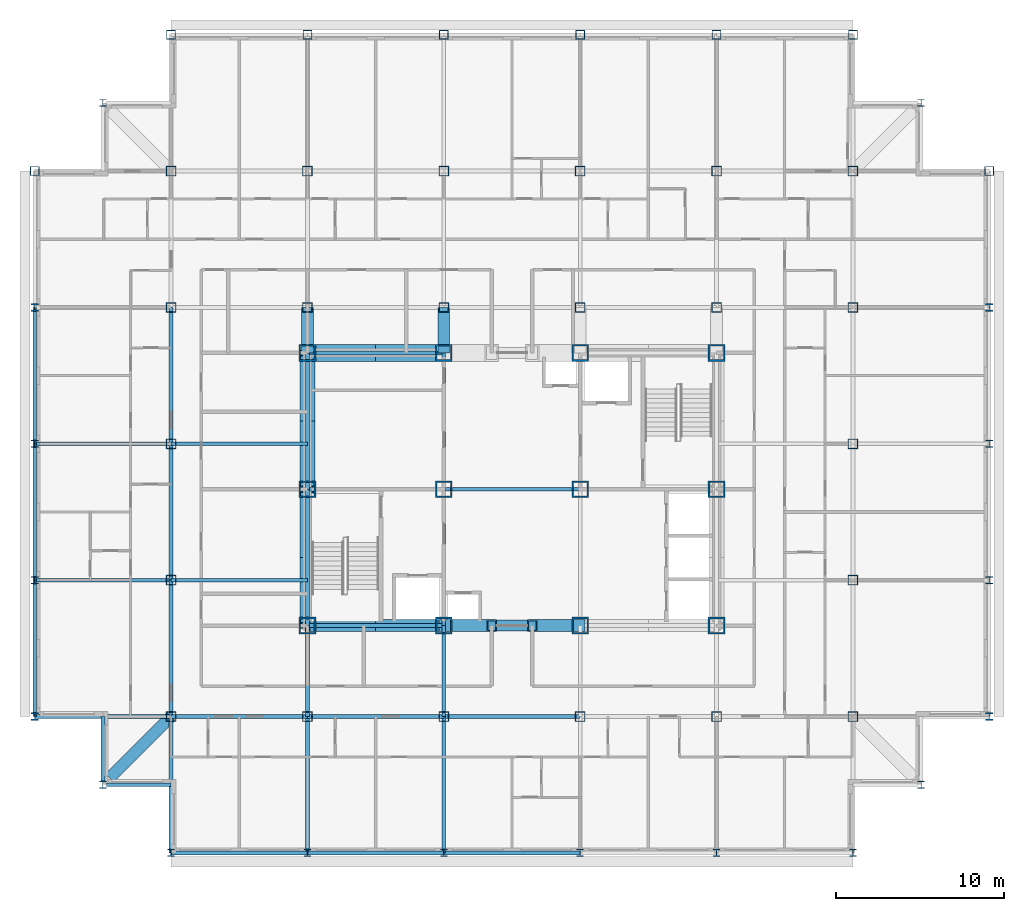
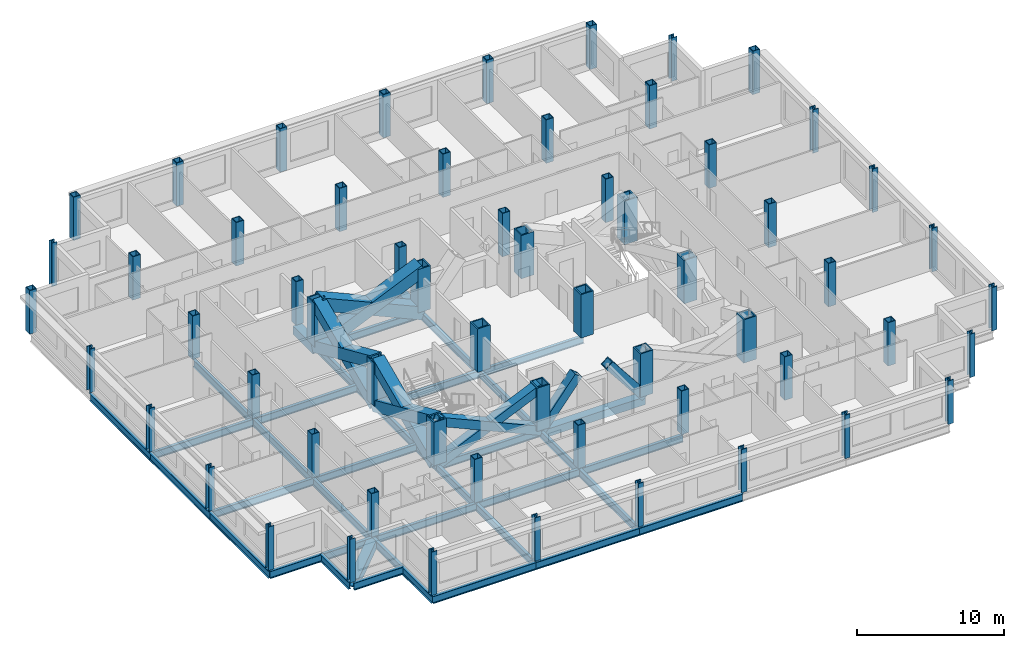
# One storey, part 1 of 12: 60 columns, 36 beams, 10 members.
"""IFC4 building model written with IfcOpenShell, lengths in metres."""

from ifc_helpers import new_model, si_unit, direction, frame, origin, origin_2d, place, context, subcontext, project, spatial, hollow_rectangle, i_section, extrude, material, material_profile, profile_set, type_object, element, save


model = new_model("IFC4")

# Units and contexts
model_context = context("Model", 3, precision=1e-05, world=origin(), true_north=direction((0.0, 1.0)))
body_context = subcontext(model_context, "Body", "Model", "MODEL_VIEW")
ifc_project = project(units=[si_unit("LENGTHUNIT", "METRE"), si_unit("AREAUNIT", "SQUARE_METRE"), si_unit("VOLUMEUNIT", "CUBIC_METRE"), si_unit("PLANEANGLEUNIT", "RADIAN"), si_unit("MASSUNIT", "GRAM", prefix="KILO")], contexts=[model_context])

# Site, building, storey
site_placement = place(None, origin())
site = spatial("IfcSite", under=ifc_project, at=site_placement, CompositionType="ELEMENT")
building_placement = place(site_placement, origin())
building = spatial("IfcBuilding", under=site, at=building_placement, Name="Kopane Lantern Tower", CompositionType="ELEMENT")
storey_placement = place(building_placement, frame((0.0, 0.0, 210.0)))
storey = spatial("IfcBuildingStorey", under=building, at=storey_placement, Name="L54", CompositionType="ELEMENT", Elevation=210.0)

# Columns
ifc_material_1 = material(Name="Steel S355JR", Category="steel")
ifc_material_profile_1 = material_profile(ifc_material_1, hollow_rectangle(XDim=1.0, YDim=1.0, WallThickness=0.10009765625, at=origin_2d()), Name="BOX 1000x1000x100")
ifc_profile_set_1 = profile_set([ifc_material_profile_1], Name="Steel S355JR")
column_type_1 = type_object("IfcColumnType", Name="COLUMN BOX 1000x1000x100", PredefinedType="COLUMN", material=ifc_profile_set_1)
for number, where, z_axis, x_axis, name in (
    (1, (16.199951171875, 24.300048828125, 0.0), (0.0, 0.0, 1.0), (1.0, 0.0, 0.0), "Column 4/E L54"),
    (2, (16.199951171875, 32.39990234375, 0.0), (0.0, 0.0, 1.0), (1.0, 0.0, 0.0), "Column 4/F L54"),
    (3, (16.199951171875, 40.5, 0.0), (0.0, 0.0, 1.0), (1.0, 0.0, 0.0), "Column 4/G L54"),
    (4, (24.300048828125, 24.300048828125, 0.0), (0.0, 0.0, 1.0), (1.0, 0.0, 0.0), "Column 5/E L54"),
    (5, (24.300048828125, 32.39990234375, 0.0), (0.0, 0.0, 1.0), (1.0, 0.0, 0.0), "Column 5/F L54"),
    (6, (24.300048828125, 40.5, 0.0), (0.0, 0.0, 1.0), (1.0, 0.0, 0.0), "Column 5/G L54"),
    (7, (32.39990234375, 24.300048828125, 0.0), (0.0, 0.0, 1.0), (1.0, 0.0, 0.0), "Column 6/E L54"),
    (8, (32.39990234375, 32.39990234375, 0.0), (0.0, 0.0, 1.0), (1.0, 0.0, 0.0), "Column 6/F L54"),
    (9, (32.39990234375, 40.5, 0.0), (0.0, 0.0, 1.0), (1.0, 0.0, 0.0), "Column 6/G L54"),
    (10, (40.5, 24.300048828125, 0.0), (0.0, 0.0, 1.0), (1.0, 0.0, 0.0), "Column 7/E L54"),
    (11, (40.5, 32.39990234375, 0.0), (0.0, 0.0, 1.0), (1.0, 0.0, 0.0), "Column 7/F L54"),
    (12, (40.5, 40.5, 0.0), (0.0, 0.0, 1.0), (1.0, 0.0, 0.0), "Column 7/G L54"),
):
    element("IfcColumn", number, at=place(storey_placement, frame(where, z_axis=z_axis, x_axis=x_axis)), inside=storey, type_object=column_type_1, Name=name, PredefinedType="COLUMN", context=body_context, shape_type="SweptSolid", body=[
        extrude(hollow_rectangle(XDim=1.0, YDim=1.0, WallThickness=0.10009765625, at=origin_2d()), origin(), (0.0, 0.0, 1.0), 3.60009765625),
    ])
ifc_material_2 = material(Name="Steel S355JR", Category="steel")
ifc_material_profile_2 = material_profile(ifc_material_2, hollow_rectangle(XDim=0.550048828125, YDim=0.550048828125, WallThickness=0.044921875, at=origin_2d()), Name="BOX 550x550x45")
ifc_profile_set_2 = profile_set([ifc_material_profile_2], Name="Steel S355JR")
column_type_2 = type_object("IfcColumnType", Name="COLUMN BOX 550x550x45", PredefinedType="COLUMN", material=ifc_profile_set_2)
for number, where, z_axis, x_axis, name in (
    (13, (0.0, 51.300048828125, 0.0), (0.0, 0.0, 1.0), (1.0, 0.0, 0.0), "Column 2/Q6 L54"),
    (14, (8.10009765625, 59.39990234375, 0.0), (0.0, 0.0, 1.0), (1.0, 0.0, 0.0), "Column 3/Q7 L54"),
    (15, (16.199951171875, 59.39990234375, 0.0), (0.0, 0.0, 1.0), (1.0, 0.0, 0.0), "Column 4/Q7 L54"),
    (16, (24.300048828125, 59.39990234375, 0.0), (0.0, 0.0, 1.0), (1.0, 0.0, 0.0), "Column 5/Q7 L54"),
    (17, (32.39990234375, 59.39990234375, 0.0), (0.0, 0.0, 1.0), (1.0, 0.0, 0.0), "Column 6/Q7 L54"),
    (18, (40.5, 59.39990234375, 0.0), (0.0, 0.0, 1.0), (1.0, 0.0, 0.0), "Column 7/Q7 L54"),
    (19, (48.60009765625, 59.39990234375, 0.0), (0.0, 0.0, 1.0), (1.0, 0.0, 0.0), "Column 8/Q7 L54"),
    (20, (56.699951171875, 51.300048828125, 0.0), (0.0, 0.0, 1.0), (1.0, 0.0, 0.0), "Column 9/Q6 L54"),
):
    element("IfcColumn", number, at=place(storey_placement, frame(where, z_axis=z_axis, x_axis=x_axis)), inside=storey, type_object=column_type_2, Name=name, PredefinedType="COLUMN", context=body_context, shape_type="SweptSolid", body=[
        extrude(hollow_rectangle(XDim=0.550048828125, YDim=0.550048828125, WallThickness=0.044921875, at=origin_2d()), origin(), (0.0, 0.0, 1.0), 3.60009765625),
    ])
ifc_material_3 = material(Name="Steel S355JR", Category="steel")
ifc_material_profile_3 = material_profile(ifc_material_3, hollow_rectangle(XDim=0.60009765625, YDim=0.60009765625, WallThickness=0.050048828125, at=origin_2d()), Name="BOX 600x600x50")
ifc_profile_set_3 = profile_set([ifc_material_profile_3], Name="Steel S355JR")
column_type_3 = type_object("IfcColumnType", Name="COLUMN BOX 600x600x50", PredefinedType="COLUMN", material=ifc_profile_set_3)
for number, where, z_axis, x_axis, name in (
    (21, (8.10009765625, 18.89990234375, 0.0), (0.0, 0.0, 1.0), (1.0, 0.0, 0.0), "Column 3/Q2 L54"),
    (22, (8.10009765625, 27.0, 0.0), (0.0, 0.0, 1.0), (1.0, 0.0, 0.0), "Column 3/Q3 L54"),
    (23, (8.10009765625, 35.10009765625, 0.0), (0.0, 0.0, 1.0), (1.0, 0.0, 0.0), "Column 3/Q4 L54"),
    (24, (8.10009765625, 43.199951171875, 0.0), (0.0, 0.0, 1.0), (1.0, 0.0, 0.0), "Column 3/Q5 L54"),
    (25, (8.10009765625, 51.300048828125, 0.0), (0.0, 0.0, 1.0), (1.0, 0.0, 0.0), "Column 3/Q6 L54"),
    (26, (16.199951171875, 18.89990234375, 0.0), (0.0, 0.0, 1.0), (1.0, 0.0, 0.0), "Column 4/Q2 L54"),
    (27, (16.199951171875, 43.199951171875, 0.0), (0.0, 0.0, 1.0), (1.0, 0.0, 0.0), "Column 4/Q5 L54"),
    (28, (16.199951171875, 51.300048828125, 0.0), (0.0, 0.0, 1.0), (1.0, 0.0, 0.0), "Column 4/Q6 L54"),
    (29, (24.300048828125, 18.89990234375, 0.0), (0.0, 0.0, 1.0), (1.0, 0.0, 0.0), "Column 5/Q2 L54"),
    (30, (24.300048828125, 43.199951171875, 0.0), (0.0, 0.0, 1.0), (1.0, 0.0, 0.0), "Column 5/Q5 L54"),
    (31, (24.300048828125, 51.300048828125, 0.0), (0.0, 0.0, 1.0), (1.0, 0.0, 0.0), "Column 5/Q6 L54"),
    (32, (32.39990234375, 18.89990234375, 0.0), (0.0, 0.0, 1.0), (1.0, 0.0, 0.0), "Column 6/Q2 L54"),
    (33, (32.39990234375, 43.199951171875, 0.0), (0.0, 0.0, 1.0), (1.0, 0.0, 0.0), "Column 6/Q5 L54"),
    (34, (32.39990234375, 51.300048828125, 0.0), (0.0, 0.0, 1.0), (1.0, 0.0, 0.0), "Column 6/Q6 L54"),
    (35, (40.5, 18.89990234375, 0.0), (0.0, 0.0, 1.0), (1.0, 0.0, 0.0), "Column 7/Q2 L54"),
    (36, (40.5, 43.199951171875, 0.0), (0.0, 0.0, 1.0), (1.0, 0.0, 0.0), "Column 7/Q5 L54"),
    (37, (40.5, 51.300048828125, 0.0), (0.0, 0.0, 1.0), (1.0, 0.0, 0.0), "Column 7/Q6 L54"),
    (38, (48.60009765625, 18.89990234375, 0.0), (0.0, 0.0, 1.0), (1.0, 0.0, 0.0), "Column 8/Q2 L54"),
    (39, (48.60009765625, 27.0, 0.0), (0.0, 0.0, 1.0), (1.0, 0.0, 0.0), "Column 8/Q3 L54"),
    (40, (48.60009765625, 35.10009765625, 0.0), (0.0, 0.0, 1.0), (1.0, 0.0, 0.0), "Column 8/Q4 L54"),
    (41, (48.60009765625, 43.199951171875, 0.0), (0.0, 0.0, 1.0), (1.0, 0.0, 0.0), "Column 8/Q5 L54"),
    (42, (48.60009765625, 51.300048828125, 0.0), (0.0, 0.0, 1.0), (1.0, 0.0, 0.0), "Column 8/Q6 L54"),
):
    element("IfcColumn", number, at=place(storey_placement, frame(where, z_axis=z_axis, x_axis=x_axis)), inside=storey, type_object=column_type_3, Name=name, PredefinedType="COLUMN", context=body_context, shape_type="SweptSolid", body=[
        extrude(hollow_rectangle(XDim=0.60009765625, YDim=0.60009765625, WallThickness=0.050048828125, at=origin_2d()), origin(), (0.0, 0.0, 1.0), 3.60009765625),
    ])
ifc_material_4 = material(Name="Steel S355JR", Category="steel")
ifc_material_profile_4 = material_profile(ifc_material_4, i_section(OverallWidth=0.406982421875, OverallDepth=0.4189453125, WebThickness=0.030517578125, FlangeThickness=0.04931640625, FilletRadius=0.01513671875, at=origin_2d()), Name="UC 356x406x393")
ifc_profile_set_4 = profile_set([ifc_material_profile_4], Name="Steel S355JR")
column_type_4 = type_object("IfcColumnType", Name="COLUMN UC 356x406x393", PredefinedType="COLUMN", material=ifc_profile_set_4)
for number, where, z_axis, x_axis, name in (
    (43, (4.050048828125, 14.85009765625, 0.0), (0.0, 0.0, 1.0), (1.0, 0.0, 0.0), "Column 4.05/14.85 L54"),
    (44, (4.050048828125, 55.35009765625, 0.0), (0.0, 0.0, 1.0), (1.0, 0.0, 0.0), "Column 4.05/55.35 L54"),
    (45, (52.64990234375, 14.85009765625, 0.0), (0.0, 0.0, 1.0), (1.0, 0.0, 0.0), "Column 52.65/14.85 L54"),
    (46, (52.64990234375, 55.35009765625, 0.0), (0.0, 0.0, 1.0), (1.0, 0.0, 0.0), "Column 52.65/55.35 L54"),
):
    element("IfcColumn", number, at=place(storey_placement, frame(where, z_axis=z_axis, x_axis=x_axis)), inside=storey, type_object=column_type_4, Name=name, PredefinedType="COLUMN", context=body_context, shape_type="SweptSolid", body=[
        extrude(i_section(OverallWidth=0.406982421875, OverallDepth=0.4189453125, WebThickness=0.030517578125, FlangeThickness=0.04931640625, FilletRadius=0.01513671875, at=origin_2d()), origin(), (0.0, 0.0, 1.0), 3.60009765625),
    ])
ifc_material_5 = material(Name="Steel S355JR", Category="steel")
ifc_material_profile_5 = material_profile(ifc_material_5, i_section(OverallWidth=0.41845703125, OverallDepth=0.45556640625, WebThickness=0.0419921875, FlangeThickness=0.0673828125, FilletRadius=0.01513671875, at=origin_2d()), Name="UC 356x406x551")
ifc_profile_set_5 = profile_set([ifc_material_profile_5], Name="Steel S355JR")
column_type_5 = type_object("IfcColumnType", Name="COLUMN UC 356x406x551", PredefinedType="COLUMN", material=ifc_profile_set_5)
for number, where, z_axis, x_axis, name in (
    (47, (0.0, 18.89990234375, 0.0), (0.0, 0.0, 1.0), (1.0, 0.0, 0.0), "Column 2/Q2 L54"),
    (48, (0.0, 27.0, 0.0), (0.0, 0.0, 1.0), (1.0, 0.0, 0.0), "Column 2/Q3 L54"),
    (49, (0.0, 35.10009765625, 0.0), (0.0, 0.0, 1.0), (1.0, 0.0, 0.0), "Column 2/Q4 L54"),
    (50, (0.0, 43.199951171875, 0.0), (0.0, 0.0, 1.0), (1.0, 0.0, 0.0), "Column 2/Q5 L54"),
    (51, (8.10009765625, 10.800048828125, 0.0), (0.0, 0.0, 1.0), (1.0, 0.0, 0.0), "Column 3/Q1 L54"),
    (52, (16.199951171875, 10.800048828125, 0.0), (0.0, 0.0, 1.0), (1.0, 0.0, 0.0), "Column 4/Q1 L54"),
    (53, (24.300048828125, 10.800048828125, 0.0), (0.0, 0.0, 1.0), (1.0, 0.0, 0.0), "Column 5/Q1 L54"),
    (54, (32.39990234375, 10.800048828125, 0.0), (0.0, 0.0, 1.0), (1.0, 0.0, 0.0), "Column 6/Q1 L54"),
    (55, (40.5, 10.800048828125, 0.0), (0.0, 0.0, 1.0), (1.0, 0.0, 0.0), "Column 7/Q1 L54"),
    (56, (48.60009765625, 10.800048828125, 0.0), (0.0, 0.0, 1.0), (1.0, 0.0, 0.0), "Column 8/Q1 L54"),
    (57, (56.699951171875, 18.89990234375, 0.0), (0.0, 0.0, 1.0), (1.0, 0.0, 0.0), "Column 9/Q2 L54"),
    (58, (56.699951171875, 27.0, 0.0), (0.0, 0.0, 1.0), (1.0, 0.0, 0.0), "Column 9/Q3 L54"),
    (59, (56.699951171875, 35.10009765625, 0.0), (0.0, 0.0, 1.0), (1.0, 0.0, 0.0), "Column 9/Q4 L54"),
    (60, (56.699951171875, 43.199951171875, 0.0), (0.0, 0.0, 1.0), (1.0, 0.0, 0.0), "Column 9/Q5 L54"),
):
    element("IfcColumn", number, at=place(storey_placement, frame(where, z_axis=z_axis, x_axis=x_axis)), inside=storey, type_object=column_type_5, Name=name, PredefinedType="COLUMN", context=body_context, shape_type="SweptSolid", body=[
        extrude(i_section(OverallWidth=0.41845703125, OverallDepth=0.45556640625, WebThickness=0.0419921875, FlangeThickness=0.0673828125, FilletRadius=0.01513671875, at=origin_2d()), origin(), (0.0, 0.0, 1.0), 3.60009765625),
    ])

# Members
ifc_material_6 = material(Name="Steel S355JR", Category="steel")
ifc_material_profile_6 = material_profile(ifc_material_6, hollow_rectangle(XDim=1.0, YDim=1.0, WallThickness=0.10009765625, at=origin_2d()), Name="BOX 1000x1000x100")
ifc_profile_set_6 = profile_set([ifc_material_profile_6], Name="Steel S355JR")
member_type_1 = type_object("IfcMemberType", Name="BRACE BOX 1000x1000x100", PredefinedType="BRACE", material=ifc_profile_set_6)
for number, where, z_axis, x_axis, name in (
    (61, (16.199951171875, 40.5, -0.2099609375), (0.913819498983, 0.0, 0.406120577265), (0.0, 1.0, 0.0), "Core brace L54"),
    (62, (24.300048828125, 40.5, -0.2099609375), (-0.913819498983, 0.0, 0.406120577265), (0.0, -1.0, 0.0), "Core brace L54"),
):
    element("IfcMember", number, at=place(storey_placement, frame(where, z_axis=z_axis, x_axis=x_axis)), inside=storey, type_object=member_type_1, Name=name, PredefinedType="BRACE", context=body_context, shape_type="SweptSolid", body=[
        extrude(hollow_rectangle(XDim=1.0, YDim=1.0, WallThickness=0.10009765625, at=origin_2d()), origin(), (0.0, 0.0, 1.0), 8.864013671875),
    ])
ifc_material_7 = material(Name="Steel S355JR", Category="steel")
ifc_material_profile_7 = material_profile(ifc_material_7, hollow_rectangle(XDim=0.699951171875, YDim=0.699951171875, WallThickness=0.06005859375, at=origin_2d()), Name="BOX 700x700x60")
ifc_profile_set_7 = profile_set([ifc_material_profile_7], Name="Steel S355JR")
member_type_2 = type_object("IfcMemberType", Name="BRACE BOX 700x700x60", PredefinedType="BRACE", material=ifc_profile_set_7)
for number, where, z_axis, x_axis, name in (
    (63, (16.199951171875, 24.300048828125, -0.2099609375), (0.913819498983, 0.0, 0.406120577265), (0.0, 1.0, 0.0), "Core brace L54"),
    (64, (24.300048828125, 24.300048828125, -0.2099609375), (-0.913819498983, 0.0, 0.406120577265), (0.0, -1.0, 0.0), "Core brace L54"),
):
    element("IfcMember", number, at=place(storey_placement, frame(where, z_axis=z_axis, x_axis=x_axis)), inside=storey, type_object=member_type_2, Name=name, PredefinedType="BRACE", context=body_context, shape_type="SweptSolid", body=[
        extrude(hollow_rectangle(XDim=0.699951171875, YDim=0.699951171875, WallThickness=0.06005859375, at=origin_2d()), origin(), (0.0, 0.0, 1.0), 8.864013671875),
    ])
for number, where, z_axis, x_axis, name in (
    (65, (24.300048828125, 24.300048828125, -0.2099609375), (0.620698858423, 0.0, 0.784049059149), (0.0, 1.0, 0.0), "Core brace L54"),
    (66, (32.39990234375, 24.300048828125, -0.2099609375), (-0.620698858423, 0.0, 0.784049059149), (0.0, -1.0, 0.0), "Core brace L54"),
):
    element("IfcMember", number, at=place(storey_placement, frame(where, z_axis=z_axis, x_axis=x_axis)), inside=storey, type_object=member_type_2, Name=name, PredefinedType="BRACE", context=body_context, shape_type="SweptSolid", body=[
        extrude(hollow_rectangle(XDim=0.699951171875, YDim=0.699951171875, WallThickness=0.06005859375, at=origin_2d()), origin(), (0.0, 0.0, 1.0), 4.59130859375),
    ])
ifc_material_8 = material(Name="Steel S355JR", Category="steel")
ifc_material_profile_8 = material_profile(ifc_material_8, hollow_rectangle(XDim=0.89990234375, YDim=0.89990234375, WallThickness=0.090087890625, at=origin_2d()), Name="BOX 900x900x90")
ifc_profile_set_8 = profile_set([ifc_material_profile_8], Name="Steel S355JR")
member_type_3 = type_object("IfcMemberType", Name="BRACE BOX 900x900x90", PredefinedType="BRACE", material=ifc_profile_set_8)
for number, where, z_axis, x_axis, name in (
    (67, (16.199951171875, 24.300048828125, -0.2099609375), (0.0, 0.913814956047, 0.406130799256), (-1.0, 0.0, 0.0), "Core brace L54"),
    (68, (16.199951171875, 32.39990234375, -0.2099609375), (0.0, -0.913814956047, 0.406130799256), (1.0, 0.0, 0.0), "Core brace L54"),
):
    element("IfcMember", number, at=place(storey_placement, frame(where, z_axis=z_axis, x_axis=x_axis)), inside=storey, type_object=member_type_3, Name=name, PredefinedType="BRACE", context=body_context, shape_type="SweptSolid", body=[
        extrude(hollow_rectangle(XDim=0.89990234375, YDim=0.89990234375, WallThickness=0.090087890625, at=origin_2d()), origin(), (0.0, 0.0, 1.0), 8.86376953125),
    ])
for number, where, z_axis, x_axis, name in (
    (69, (16.199951171875, 32.39990234375, -0.2099609375), (0.0, 0.913819498983, 0.406120577265), (-1.0, 0.0, 0.0), "Core brace L54"),
    (70, (16.199951171875, 40.5, -0.2099609375), (0.0, -0.913819498983, 0.406120577265), (1.0, 0.0, 0.0), "Core brace L54"),
):
    element("IfcMember", number, at=place(storey_placement, frame(where, z_axis=z_axis, x_axis=x_axis)), inside=storey, type_object=member_type_3, Name=name, PredefinedType="BRACE", context=body_context, shape_type="SweptSolid", body=[
        extrude(hollow_rectangle(XDim=0.89990234375, YDim=0.89990234375, WallThickness=0.090087890625, at=origin_2d()), origin(), (0.0, 0.0, 1.0), 8.864013671875),
    ])

# Beams
ifc_material_9 = material(Name="Steel S355JR", Category="steel")
ifc_material_profile_9 = material_profile(ifc_material_9, i_section(OverallWidth=0.22900390625, OverallDepth=0.6123046875, WebThickness=0.011962890625, FlangeThickness=0.01953125, FilletRadius=0.0126953125, at=origin_2d()), Name="UB 610x229x125")
ifc_profile_set_9 = profile_set([ifc_material_profile_9], Name="Steel S355JR")
beam_type_1 = type_object("IfcBeamType", Name="CORE BEAM UB 610x229x125", PredefinedType="BEAM", material=ifc_profile_set_9)
beam_1_placement = place(storey_placement, frame((16.199951171875, 32.39990234375, -0.51611328125), z_axis=(1.0, 0.0, 0.0), x_axis=(0.0, 1.0, 0.0)))
element("IfcBeam", 71, at=beam_1_placement, inside=storey, type_object=beam_type_1, Name="Core Beam L54", PredefinedType="BEAM", context=body_context, shape_type="SweptSolid", body=[
    extrude(i_section(OverallWidth=0.22900390625, OverallDepth=0.6123046875, WebThickness=0.011962890625, FlangeThickness=0.01953125, FilletRadius=0.0126953125, at=origin_2d()), origin(), (0.0, 0.0, 1.0), 8.10009765625),
])
beam_2_placement = place(storey_placement, frame((24.300048828125, 24.300048828125, -0.51611328125), z_axis=(0.0, 1.0, 0.0), x_axis=(-1.0, 0.0, 0.0)))
element("IfcBeam", 72, at=beam_2_placement, inside=storey, type_object=beam_type_1, Name="Core Beam L54", PredefinedType="BEAM", context=body_context, shape_type="SweptSolid", body=[
    extrude(i_section(OverallWidth=0.22900390625, OverallDepth=0.6123046875, WebThickness=0.011962890625, FlangeThickness=0.01953125, FilletRadius=0.0126953125, at=origin_2d()), origin(), (0.0, 0.0, 1.0), 8.099853515625),
])
beam_3_placement = place(storey_placement, frame((24.300048828125, 32.39990234375, -0.51611328125), z_axis=(0.0, 1.0, 0.0), x_axis=(-1.0, 0.0, 0.0)))
element("IfcBeam", 73, at=beam_3_placement, inside=storey, type_object=beam_type_1, Name="Core Beam L54", PredefinedType="BEAM", context=body_context, shape_type="SweptSolid", body=[
    extrude(i_section(OverallWidth=0.22900390625, OverallDepth=0.6123046875, WebThickness=0.011962890625, FlangeThickness=0.01953125, FilletRadius=0.0126953125, at=origin_2d()), origin(), (0.0, 0.0, 1.0), 8.10009765625),
])
beam_4_placement = place(storey_placement, frame((24.300048828125, 32.39990234375, -0.51611328125), z_axis=(1.0, 0.0, 0.0), x_axis=(0.0, 1.0, 0.0)))
element("IfcBeam", 74, at=beam_4_placement, inside=storey, type_object=beam_type_1, Name="Core Beam L54", PredefinedType="BEAM", context=body_context, shape_type="SweptSolid", body=[
    extrude(i_section(OverallWidth=0.22900390625, OverallDepth=0.6123046875, WebThickness=0.011962890625, FlangeThickness=0.01953125, FilletRadius=0.0126953125, at=origin_2d()), origin(), (0.0, 0.0, 1.0), 8.099853515625),
])
ifc_material_10 = material(Name="Steel S355JR", Category="steel")
ifc_material_profile_10 = material_profile(ifc_material_10, hollow_rectangle(XDim=0.699951171875, YDim=0.699951171875, WallThickness=0.06005859375, at=origin_2d()), Name="BOX 700x700x60")
ifc_profile_set_10 = profile_set([ifc_material_profile_10], Name="Steel S355JR")
beam_type_2 = type_object("IfcBeamType", Name="CORNER TIE BEAM BOX 700x700x60", PredefinedType="BEAM", material=ifc_profile_set_10)
beam_5_placement = place(storey_placement, frame((4.447509765625, 15.24755859375, -0.56005859375), z_axis=(0.70713041325, 0.707083148333, 0.0), x_axis=(-0.707083148333, 0.70713041325, 0.0)))
element("IfcBeam", 75, at=beam_5_placement, inside=storey, type_object=beam_type_2, Name="Corner Tie Beam L54", PredefinedType="BEAM", context=body_context, shape_type="SweptSolid", body=[
    extrude(hollow_rectangle(XDim=0.699951171875, YDim=0.699951171875, WallThickness=0.06005859375, at=origin_2d()), origin(), (0.0, 0.0, 1.0), 5.165283203125),
])
ifc_material_11 = material(Name="Steel S355JR", Category="steel")
ifc_material_profile_11 = material_profile(ifc_material_11, i_section(OverallWidth=0.22900390625, OverallDepth=0.6123046875, WebThickness=0.011962890625, FlangeThickness=0.01953125, FilletRadius=0.0126953125, at=origin_2d()), Name="UB 610x229x125")
ifc_profile_set_11 = profile_set([ifc_material_profile_11], Name="Steel S355JR")
beam_type_3 = type_object("IfcBeamType", Name="EDGE BEAM UB 610x229x125", PredefinedType="BEAM", material=ifc_profile_set_11)
beam_6_placement = place(storey_placement, frame((4.050048828125, 15.053466796875, -0.51611328125), z_axis=(0.0, 1.0, 0.0), x_axis=(-1.0, 0.0, 0.0)))
element("IfcBeam", 76, at=beam_6_placement, inside=storey, type_object=beam_type_3, Name="Edge Beam L54", PredefinedType="BEAM", context=body_context, shape_type="SweptSolid", body=[
    extrude(i_section(OverallWidth=0.22900390625, OverallDepth=0.6123046875, WebThickness=0.011962890625, FlangeThickness=0.01953125, FilletRadius=0.0126953125, at=origin_2d()), origin(), (0.0, 0.0, 1.0), 3.846435546875),
])
beam_7_placement = place(storey_placement, frame((4.25341796875, 14.85009765625, -0.51611328125), z_axis=(1.0, 0.0, 0.0), x_axis=(0.0, 1.0, 0.0)))
element("IfcBeam", 77, at=beam_7_placement, inside=storey, type_object=beam_type_3, Name="Edge Beam L54", PredefinedType="BEAM", context=body_context, shape_type="SweptSolid", body=[
    extrude(i_section(OverallWidth=0.22900390625, OverallDepth=0.6123046875, WebThickness=0.011962890625, FlangeThickness=0.01953125, FilletRadius=0.0126953125, at=origin_2d()), origin(), (0.0, 0.0, 1.0), 3.8466796875),
])
ifc_material_12 = material(Name="Steel S355JR", Category="steel")
ifc_material_profile_12 = material_profile(ifc_material_12, hollow_rectangle(XDim=0.699951171875, YDim=0.699951171875, WallThickness=0.06005859375, at=origin_2d()), Name="BOX 700x700x60")
ifc_profile_set_12 = profile_set([ifc_material_profile_12], Name="Steel S355JR")
beam_type_4 = type_object("IfcBeamType", Name="GIRDER BOX 700x700x60", PredefinedType="BEAM", material=ifc_profile_set_12)
for number, where, z_axis, x_axis, name in (
    (78, (16.199951171875, 40.5, -0.56005859375), (0.0, 1.0, 0.0), (-1.0, 0.0, 0.0), "Girder L54"),
    (79, (24.300048828125, 40.5, -0.56005859375), (0.0, 1.0, 0.0), (-1.0, 0.0, 0.0), "Girder L54"),
):
    element("IfcBeam", number, at=place(storey_placement, frame(where, z_axis=z_axis, x_axis=x_axis)), inside=storey, type_object=beam_type_4, Name=name, PredefinedType="BEAM", context=body_context, shape_type="SweptSolid", body=[
        extrude(hollow_rectangle(XDim=0.699951171875, YDim=0.699951171875, WallThickness=0.06005859375, at=origin_2d()), origin(), (0.0, 0.0, 1.0), 2.699951171875),
    ])
ifc_material_13 = material(Name="Steel S355JR", Category="steel")
ifc_material_profile_13 = material_profile(ifc_material_13, i_section(OverallWidth=0.22900390625, OverallDepth=0.6123046875, WebThickness=0.011962890625, FlangeThickness=0.01953125, FilletRadius=0.0126953125, at=origin_2d()), Name="UB 610x229x125")
ifc_profile_set_13 = profile_set([ifc_material_profile_13], Name="Steel S355JR")
beam_type_5 = type_object("IfcBeamType", Name="GIRDER UB 610x229x125", PredefinedType="BEAM", material=ifc_profile_set_13)
for number, where, z_axis, x_axis, name in (
    (80, (0.0, 18.89990234375, -0.51611328125), (0.0, 1.0, 0.0), (-1.0, 0.0, 0.0), "Girder L54"),
    (81, (0.0, 18.89990234375, -0.51611328125), (1.0, 0.0, 0.0), (0.0, 1.0, 0.0), "Girder L54"),
    (82, (0.0, 27.0, -0.51611328125), (0.0, 1.0, 0.0), (-1.0, 0.0, 0.0), "Girder L54"),
    (83, (0.0, 27.0, -0.51611328125), (1.0, 0.0, 0.0), (0.0, 1.0, 0.0), "Girder L54"),
):
    element("IfcBeam", number, at=place(storey_placement, frame(where, z_axis=z_axis, x_axis=x_axis)), inside=storey, type_object=beam_type_5, Name=name, PredefinedType="BEAM", context=body_context, shape_type="SweptSolid", body=[
        extrude(i_section(OverallWidth=0.22900390625, OverallDepth=0.6123046875, WebThickness=0.011962890625, FlangeThickness=0.01953125, FilletRadius=0.0126953125, at=origin_2d()), origin(), (0.0, 0.0, 1.0), 8.10009765625),
    ])
beam_8_placement = place(storey_placement, frame((0.0, 35.10009765625, -0.51611328125), z_axis=(0.0, 1.0, 0.0), x_axis=(-1.0, 0.0, 0.0)))
element("IfcBeam", 84, at=beam_8_placement, inside=storey, type_object=beam_type_5, Name="Girder L54", PredefinedType="BEAM", context=body_context, shape_type="SweptSolid", body=[
    extrude(i_section(OverallWidth=0.22900390625, OverallDepth=0.6123046875, WebThickness=0.011962890625, FlangeThickness=0.01953125, FilletRadius=0.0126953125, at=origin_2d()), origin(), (0.0, 0.0, 1.0), 8.099853515625),
])
beam_9_placement = place(storey_placement, frame((0.0, 35.10009765625, -0.51611328125), z_axis=(1.0, 0.0, 0.0), x_axis=(0.0, 1.0, 0.0)))
element("IfcBeam", 85, at=beam_9_placement, inside=storey, type_object=beam_type_5, Name="Girder L54", PredefinedType="BEAM", context=body_context, shape_type="SweptSolid", body=[
    extrude(i_section(OverallWidth=0.22900390625, OverallDepth=0.6123046875, WebThickness=0.011962890625, FlangeThickness=0.01953125, FilletRadius=0.0126953125, at=origin_2d()), origin(), (0.0, 0.0, 1.0), 8.10009765625),
])
for number, where, z_axis, x_axis, name in (
    (86, (8.10009765625, 10.800048828125, -0.51611328125), (0.0, 1.0, 0.0), (-1.0, 0.0, 0.0), "Girder L54"),
    (87, (8.10009765625, 10.800048828125, -0.51611328125), (1.0, 0.0, 0.0), (0.0, 1.0, 0.0), "Girder L54"),
):
    element("IfcBeam", number, at=place(storey_placement, frame(where, z_axis=z_axis, x_axis=x_axis)), inside=storey, type_object=beam_type_5, Name=name, PredefinedType="BEAM", context=body_context, shape_type="SweptSolid", body=[
        extrude(i_section(OverallWidth=0.22900390625, OverallDepth=0.6123046875, WebThickness=0.011962890625, FlangeThickness=0.01953125, FilletRadius=0.0126953125, at=origin_2d()), origin(), (0.0, 0.0, 1.0), 8.099853515625),
    ])
beam_10_placement = place(storey_placement, frame((8.10009765625, 18.89990234375, -0.51611328125), z_axis=(0.0, 1.0, 0.0), x_axis=(-1.0, 0.0, 0.0)))
element("IfcBeam", 88, at=beam_10_placement, inside=storey, type_object=beam_type_5, Name="Girder L54", PredefinedType="BEAM", context=body_context, shape_type="SweptSolid", body=[
    extrude(i_section(OverallWidth=0.22900390625, OverallDepth=0.6123046875, WebThickness=0.011962890625, FlangeThickness=0.01953125, FilletRadius=0.0126953125, at=origin_2d()), origin(), (0.0, 0.0, 1.0), 8.10009765625),
])
beam_11_placement = place(storey_placement, frame((8.10009765625, 18.89990234375, -0.51611328125), z_axis=(1.0, 0.0, 0.0), x_axis=(0.0, 1.0, 0.0)))
element("IfcBeam", 89, at=beam_11_placement, inside=storey, type_object=beam_type_5, Name="Girder L54", PredefinedType="BEAM", context=body_context, shape_type="SweptSolid", body=[
    extrude(i_section(OverallWidth=0.22900390625, OverallDepth=0.6123046875, WebThickness=0.011962890625, FlangeThickness=0.01953125, FilletRadius=0.0126953125, at=origin_2d()), origin(), (0.0, 0.0, 1.0), 8.099853515625),
])
beam_12_placement = place(storey_placement, frame((8.10009765625, 27.0, -0.51611328125), z_axis=(0.0, 1.0, 0.0), x_axis=(-1.0, 0.0, 0.0)))
element("IfcBeam", 90, at=beam_12_placement, inside=storey, type_object=beam_type_5, Name="Girder L54", PredefinedType="BEAM", context=body_context, shape_type="SweptSolid", body=[
    extrude(i_section(OverallWidth=0.22900390625, OverallDepth=0.6123046875, WebThickness=0.011962890625, FlangeThickness=0.01953125, FilletRadius=0.0126953125, at=origin_2d()), origin(), (0.0, 0.0, 1.0), 8.10009765625),
])
for number, where, z_axis, x_axis, name in (
    (91, (8.10009765625, 27.0, -0.51611328125), (1.0, 0.0, 0.0), (0.0, 1.0, 0.0), "Girder L54"),
    (92, (8.10009765625, 35.10009765625, -0.51611328125), (0.0, 1.0, 0.0), (-1.0, 0.0, 0.0), "Girder L54"),
    (93, (8.10009765625, 35.10009765625, -0.51611328125), (1.0, 0.0, 0.0), (0.0, 1.0, 0.0), "Girder L54"),
    (94, (16.199951171875, 10.800048828125, -0.51611328125), (0.0, 1.0, 0.0), (-1.0, 0.0, 0.0), "Girder L54"),
):
    element("IfcBeam", number, at=place(storey_placement, frame(where, z_axis=z_axis, x_axis=x_axis)), inside=storey, type_object=beam_type_5, Name=name, PredefinedType="BEAM", context=body_context, shape_type="SweptSolid", body=[
        extrude(i_section(OverallWidth=0.22900390625, OverallDepth=0.6123046875, WebThickness=0.011962890625, FlangeThickness=0.01953125, FilletRadius=0.0126953125, at=origin_2d()), origin(), (0.0, 0.0, 1.0), 8.099853515625),
    ])
beam_13_placement = place(storey_placement, frame((16.199951171875, 10.800048828125, -0.51611328125), z_axis=(1.0, 0.0, 0.0), x_axis=(0.0, 1.0, 0.0)))
element("IfcBeam", 95, at=beam_13_placement, inside=storey, type_object=beam_type_5, Name="Girder L54", PredefinedType="BEAM", context=body_context, shape_type="SweptSolid", body=[
    extrude(i_section(OverallWidth=0.22900390625, OverallDepth=0.6123046875, WebThickness=0.011962890625, FlangeThickness=0.01953125, FilletRadius=0.0126953125, at=origin_2d()), origin(), (0.0, 0.0, 1.0), 8.10009765625),
])
beam_14_placement = place(storey_placement, frame((16.199951171875, 18.89990234375, -0.51611328125), z_axis=(0.0, 1.0, 0.0), x_axis=(-1.0, 0.0, 0.0)))
element("IfcBeam", 96, at=beam_14_placement, inside=storey, type_object=beam_type_5, Name="Girder L54", PredefinedType="BEAM", context=body_context, shape_type="SweptSolid", body=[
    extrude(i_section(OverallWidth=0.22900390625, OverallDepth=0.6123046875, WebThickness=0.011962890625, FlangeThickness=0.01953125, FilletRadius=0.0126953125, at=origin_2d()), origin(), (0.0, 0.0, 1.0), 5.400146484375),
])
beam_15_placement = place(storey_placement, frame((16.199951171875, 18.89990234375, -0.51611328125), z_axis=(1.0, 0.0, 0.0), x_axis=(0.0, 1.0, 0.0)))
element("IfcBeam", 97, at=beam_15_placement, inside=storey, type_object=beam_type_5, Name="Girder L54", PredefinedType="BEAM", context=body_context, shape_type="SweptSolid", body=[
    extrude(i_section(OverallWidth=0.22900390625, OverallDepth=0.6123046875, WebThickness=0.011962890625, FlangeThickness=0.01953125, FilletRadius=0.0126953125, at=origin_2d()), origin(), (0.0, 0.0, 1.0), 8.10009765625),
])
beam_16_placement = place(storey_placement, frame((16.199951171875, 24.300048828125, -0.51611328125), z_axis=(0.0, 1.0, 0.0), x_axis=(-1.0, 0.0, 0.0)))
element("IfcBeam", 98, at=beam_16_placement, inside=storey, type_object=beam_type_5, Name="Girder L54", PredefinedType="BEAM", context=body_context, shape_type="SweptSolid", body=[
    extrude(i_section(OverallWidth=0.22900390625, OverallDepth=0.6123046875, WebThickness=0.011962890625, FlangeThickness=0.01953125, FilletRadius=0.0126953125, at=origin_2d()), origin(), (0.0, 0.0, 1.0), 8.099853515625),
])
for number, where, z_axis, x_axis, name in (
    (99, (16.199951171875, 24.300048828125, -0.51611328125), (1.0, 0.0, 0.0), (0.0, 1.0, 0.0), "Girder L54"),
    (100, (16.199951171875, 32.39990234375, -0.51611328125), (0.0, 1.0, 0.0), (-1.0, 0.0, 0.0), "Girder L54"),
    (101, (16.199951171875, 40.5, -0.51611328125), (1.0, 0.0, 0.0), (0.0, 1.0, 0.0), "Girder L54"),
):
    element("IfcBeam", number, at=place(storey_placement, frame(where, z_axis=z_axis, x_axis=x_axis)), inside=storey, type_object=beam_type_5, Name=name, PredefinedType="BEAM", context=body_context, shape_type="SweptSolid", body=[
        extrude(i_section(OverallWidth=0.22900390625, OverallDepth=0.6123046875, WebThickness=0.011962890625, FlangeThickness=0.01953125, FilletRadius=0.0126953125, at=origin_2d()), origin(), (0.0, 0.0, 1.0), 8.10009765625),
    ])
for number, where, z_axis, x_axis, name in (
    (102, (24.300048828125, 10.800048828125, -0.51611328125), (0.0, 1.0, 0.0), (-1.0, 0.0, 0.0), "Girder L54"),
    (103, (24.300048828125, 10.800048828125, -0.51611328125), (1.0, 0.0, 0.0), (0.0, 1.0, 0.0), "Girder L54"),
):
    element("IfcBeam", number, at=place(storey_placement, frame(where, z_axis=z_axis, x_axis=x_axis)), inside=storey, type_object=beam_type_5, Name=name, PredefinedType="BEAM", context=body_context, shape_type="SweptSolid", body=[
        extrude(i_section(OverallWidth=0.22900390625, OverallDepth=0.6123046875, WebThickness=0.011962890625, FlangeThickness=0.01953125, FilletRadius=0.0126953125, at=origin_2d()), origin(), (0.0, 0.0, 1.0), 8.099853515625),
    ])
beam_17_placement = place(storey_placement, frame((24.300048828125, 18.89990234375, -0.51611328125), z_axis=(0.0, 1.0, 0.0), x_axis=(-1.0, 0.0, 0.0)))
element("IfcBeam", 104, at=beam_17_placement, inside=storey, type_object=beam_type_5, Name="Girder L54", PredefinedType="BEAM", context=body_context, shape_type="SweptSolid", body=[
    extrude(i_section(OverallWidth=0.22900390625, OverallDepth=0.6123046875, WebThickness=0.011962890625, FlangeThickness=0.01953125, FilletRadius=0.0126953125, at=origin_2d()), origin(), (0.0, 0.0, 1.0), 5.400146484375),
])
beam_18_placement = place(storey_placement, frame((24.300048828125, 18.89990234375, -0.51611328125), z_axis=(1.0, 0.0, 0.0), x_axis=(0.0, 1.0, 0.0)))
element("IfcBeam", 105, at=beam_18_placement, inside=storey, type_object=beam_type_5, Name="Girder L54", PredefinedType="BEAM", context=body_context, shape_type="SweptSolid", body=[
    extrude(i_section(OverallWidth=0.22900390625, OverallDepth=0.6123046875, WebThickness=0.011962890625, FlangeThickness=0.01953125, FilletRadius=0.0126953125, at=origin_2d()), origin(), (0.0, 0.0, 1.0), 8.099853515625),
])
ifc_material_14 = material(Name="Steel S355JR", Category="steel")
ifc_material_profile_14 = material_profile(ifc_material_14, hollow_rectangle(XDim=0.64990234375, YDim=0.64990234375, WallThickness=0.070068359375, at=origin_2d()), Name="BOX 650x650x70")
ifc_profile_set_14 = profile_set([ifc_material_profile_14], Name="Steel S355JR")
beam_type_6 = type_object("IfcBeamType", Name="LINK BEAM BOX 650x650x70", PredefinedType="BEAM", material=ifc_profile_set_14)
beam_19_placement = place(storey_placement, frame((24.300048828125, 24.300048828125, -0.534912109375), z_axis=(1.0, 0.0, 0.0), x_axis=(0.0, 1.0, 0.0)))
element("IfcBeam", 106, at=beam_19_placement, inside=storey, type_object=beam_type_6, Name="Link Beam L54", PredefinedType="BEAM", context=body_context, shape_type="SweptSolid", body=[
    extrude(hollow_rectangle(XDim=0.64990234375, YDim=0.64990234375, WallThickness=0.070068359375, at=origin_2d()), origin(), (0.0, 0.0, 1.0), 8.099853515625),
])

save(model, "model.ifc")
